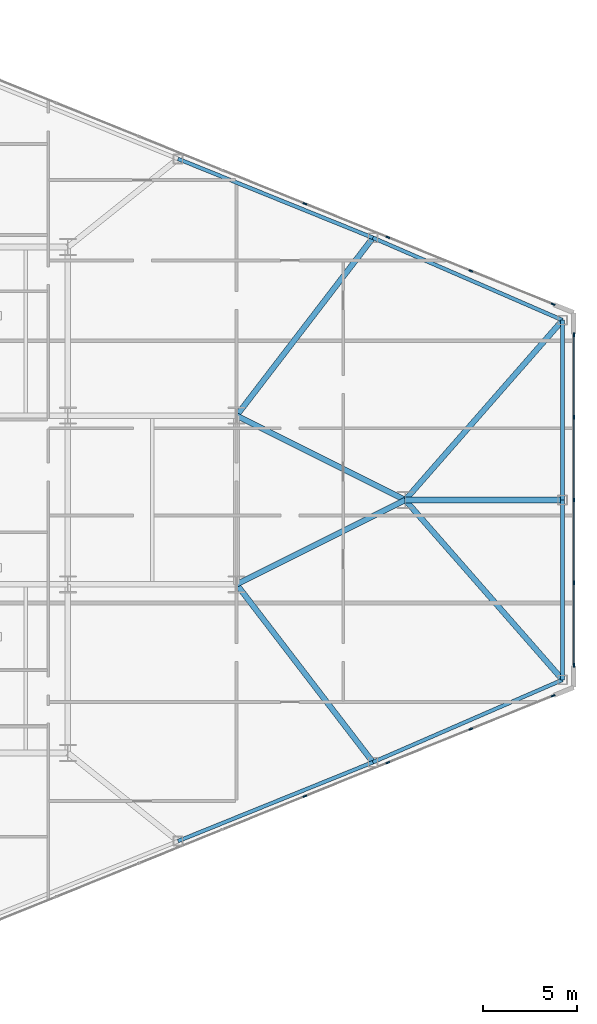
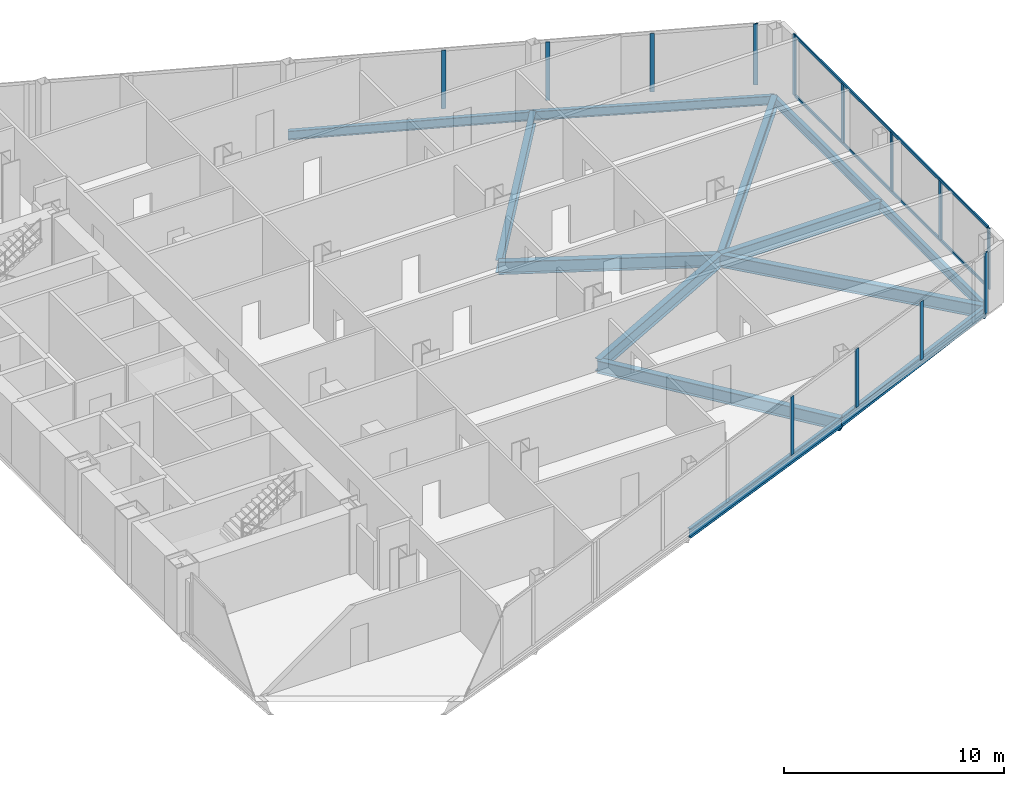
# One storey, part 14 of 25: 15 members, 13 beams, 3 elements without a shape of their own.
"""IFC4 building model written with IfcOpenShell, lengths in metres."""

from ifc_helpers import new_model, si_unit, direction, frame, origin, origin_2d, place, context, subcontext, project, spatial, rectangle, i_section, extrude, source, transform, mapped, material, layer, layer_set, material_profile, profile_set, type_object, type_shapes, element, aggregate, save


model = new_model("IFC4")

# Units and contexts
model_context = context("Model", 3, precision=1e-05, world=origin(), true_north=direction((0.0, 1.0)))
body_context = subcontext(model_context, "Body", "Model", "MODEL_VIEW")
ifc_project = project(units=[si_unit("LENGTHUNIT", "METRE"), si_unit("AREAUNIT", "SQUARE_METRE"), si_unit("VOLUMEUNIT", "CUBIC_METRE"), si_unit("PLANEANGLEUNIT", "RADIAN"), si_unit("MASSUNIT", "GRAM", prefix="KILO")], contexts=[model_context])

# Site, building, storey
site_placement = place(None, origin())
site = spatial("IfcSite", under=ifc_project, at=site_placement, CompositionType="ELEMENT")
building_placement = place(site_placement, origin())
building = spatial("IfcBuilding", under=site, at=building_placement, Name="Seokmaru Belvedere", CompositionType="ELEMENT")
storey_placement = place(building_placement, frame((0.0, 0.0, 54.89990234375)))
storey = spatial("IfcBuildingStorey", under=building, at=storey_placement, Name="L14", CompositionType="ELEMENT", Elevation=54.89990234375)

# Beams
ifc_material_1 = material(Name="Steel SM355 (355 MPa)", Category="steel")
ifc_material_profile_1 = material_profile(ifc_material_1, i_section(OverallWidth=0.300048828125, OverallDepth=0.699951171875, WebThickness=0.012939453125, FlangeThickness=0.02392578125, at=origin_2d()), Name="H-700x300x13x24")
ifc_profile_set_1 = profile_set([ifc_material_profile_1], Name="Steel SM355 (355 MPa)")
beam_type_1 = type_object("IfcBeamType", Name="Primary Floor Girder H-700", PredefinedType="BEAM", material=ifc_profile_set_1)
shared_shape_1 = source(origin(), body_context, "Body", "SweptSolid", [
    extrude(i_section(OverallWidth=0.300048828125, OverallDepth=0.699951171875, WebThickness=0.012939453125, FlangeThickness=0.02392578125, at=origin_2d()), origin(), (0.0, 0.0, 1.0), 10.062255859375),
])
for number, where, z_axis, x_axis, name in (
    (1, (54.5, -4.5, -0.56982421875), (0.894427191, 0.4472135955, 0.0), (-0.4472135955, 0.894427191, 0.0), "L14 E Apex Converging Girder 1"),
    (2, (54.5, 4.5, -0.56982421875), (0.894427191, -0.4472135955, 0.0), (0.4472135955, 0.894427191, 0.0), "L14 E Apex Converging Girder 2"),
):
    element("IfcBeam", number, at=place(storey_placement, frame(where, z_axis=z_axis, x_axis=x_axis)), inside=storey, type_object=beam_type_1, Name=name, PredefinedType="BEAM", context=body_context, shape_type="MappedRepresentation", body=[
        mapped(shared_shape_1, transform((0.0, 0.0, 0.0), scale=1.0)),
    ])
shared_shape_2 = source(origin(), body_context, "Body", "SweptSolid", [
    extrude(i_section(OverallWidth=0.300048828125, OverallDepth=0.699951171875, WebThickness=0.012939453125, FlangeThickness=0.02392578125, at=origin_2d()), origin(), (0.0, 0.0, 1.0), 12.7529296875),
])
for number, where, z_axis, x_axis, name in (
    (3, (71.89990234375, -9.595703125, -0.56982421875), (-0.658667231479, 0.752434368019, 0.0), (-0.752434368019, -0.658667231479, 0.0), "L14 E Apex Radial Floor Girder 1"),
    (4, (71.89990234375, 9.595703125, -0.56982421875), (-0.658667231479, -0.752434368019, 0.0), (0.752434368019, -0.658667231479, 0.0), "L14 E Apex Radial Floor Girder 2"),
):
    element("IfcBeam", number, at=place(storey_placement, frame(where, z_axis=z_axis, x_axis=x_axis)), inside=storey, type_object=beam_type_1, Name=name, PredefinedType="BEAM", context=body_context, shape_type="MappedRepresentation", body=[
        mapped(shared_shape_2, transform((0.0, 0.0, 0.0), scale=1.0)),
    ])
ifc_material_profile_2 = material_profile(ifc_material_1, i_section(OverallWidth=0.199951171875, OverallDepth=0.5, WebThickness=0.010009765625, FlangeThickness=0.01611328125, at=origin_2d()), Name="H-500x200x10x16")
ifc_profile_set_2 = profile_set([ifc_material_profile_2], Name="Steel SM355 (355 MPa)")
beam_type_2 = type_object("IfcBeamType", Name="Perimeter Spandrel Beam H-500", PredefinedType="SPANDREL", material=ifc_profile_set_2)
shared_shape_3 = source(origin(), body_context, "Body", "SweptSolid", [
    extrude(i_section(OverallWidth=0.199951171875, OverallDepth=0.5, WebThickness=0.010009765625, FlangeThickness=0.01611328125, at=origin_2d()), origin(), (0.0, 0.0, 1.0), 11.220703125),
])
for number, where, z_axis, x_axis, name in (
    (5, (51.378173828125, -18.2041015625, -0.469970703125), (0.926944290816, 0.375198989503, 0.0), (-0.375198989503, 0.926944290816, 0.0), "L14 E Faceted Flank Spandrel S-3"),
    (6, (51.378173828125, 18.2041015625, -0.469970703125), (0.926944290816, -0.375198989503, 0.0), (0.375198989503, 0.926944290816, 0.0), "L14 E Faceted Flank Spandrel N-3"),
):
    element("IfcBeam", number, at=place(storey_placement, frame(where, z_axis=z_axis, x_axis=x_axis)), inside=storey, type_object=beam_type_2, Name=name, PredefinedType="SPANDREL", context=body_context, shape_type="MappedRepresentation", body=[
        mapped(shared_shape_3, transform((0.0, 0.0, 0.0), scale=1.0)),
    ])
shared_shape_4 = source(origin(), body_context, "Body", "SweptSolid", [
    extrude(i_section(OverallWidth=0.199951171875, OverallDepth=0.5, WebThickness=0.010009765625, FlangeThickness=0.01611328125, at=origin_2d()), origin(), (0.0, 0.0, 1.0), 11.035400390625),
])
for number, where, z_axis, x_axis, name in (
    (7, (61.779052734375, -13.994140625, -0.469970703125), (0.917134058682, 0.398578873507, 0.0), (-0.398578873507, 0.917134058682, 0.0), "L14 E Faceted Flank Spandrel S-4"),
    (8, (61.779052734375, 13.994140625, -0.469970703125), (0.917134058682, -0.398578873507, 0.0), (0.398578873507, 0.917134058682, 0.0), "L14 E Faceted Flank Spandrel N-4"),
):
    element("IfcBeam", number, at=place(storey_placement, frame(where, z_axis=z_axis, x_axis=x_axis)), inside=storey, type_object=beam_type_2, Name=name, PredefinedType="SPANDREL", context=body_context, shape_type="MappedRepresentation", body=[
        mapped(shared_shape_4, transform((0.0, 0.0, 0.0), scale=1.0)),
    ])
shared_shape_5 = source(origin(), body_context, "Body", "SweptSolid", [
    extrude(i_section(OverallWidth=0.199951171875, OverallDepth=0.5, WebThickness=0.010009765625, FlangeThickness=0.01611328125, at=origin_2d()), origin(), (0.0, 0.0, 1.0), 9.595703125),
])
type_shapes(beam_type_2, [shared_shape_3, shared_shape_4, shared_shape_5])
for number, where, z_axis, x_axis, name in (
    (9, (71.89990234375, -9.595703125, -0.469970703125), (0.0, 1.0, 0.0), (-1.0, 0.0, 0.0), "L14 E Faceted Apex Spandrel S"),
    (10, (71.89990234375, 0.0, -0.469970703125), (0.0, 1.0, 0.0), (-1.0, 0.0, 0.0), "L14 E Faceted Apex Spandrel N"),
):
    element("IfcBeam", number, at=place(storey_placement, frame(where, z_axis=z_axis, x_axis=x_axis)), inside=storey, type_object=beam_type_2, Name=name, PredefinedType="SPANDREL", context=body_context, shape_type="MappedRepresentation", body=[
        mapped(shared_shape_5, transform((0.0, 0.0, 0.0), scale=1.0)),
    ])
shared_shape_6 = source(origin(), body_context, "Body", "SweptSolid", [
    extrude(i_section(OverallWidth=0.300048828125, OverallDepth=0.699951171875, WebThickness=0.012939453125, FlangeThickness=0.02392578125, at=origin_2d()), origin(), (0.0, 0.0, 1.0), 11.96337890625),
])
for number, where, z_axis, x_axis, name in (
    (11, (61.779052734375, -13.994140625, -0.56982421875), (-0.608442682624, 0.793597821294, 0.0), (-0.793597821294, -0.608442682624, 0.0), "L14 E Flank Radial Floor Girder S-3"),
    (12, (61.779052734375, 13.994140625, -0.56982421875), (-0.608442682624, -0.793597821294, 0.0), (0.793597821294, -0.608442682624, 0.0), "L14 E Flank Radial Floor Girder N-3"),
):
    element("IfcBeam", number, at=place(storey_placement, frame(where, z_axis=z_axis, x_axis=x_axis)), inside=storey, type_object=beam_type_1, Name=name, PredefinedType="BEAM", context=body_context, shape_type="MappedRepresentation", body=[
        mapped(shared_shape_6, transform((0.0, 0.0, 0.0), scale=1.0)),
    ])
shared_shape_7 = source(origin(), body_context, "Body", "SweptSolid", [
    extrude(i_section(OverallWidth=0.300048828125, OverallDepth=0.699951171875, WebThickness=0.012939453125, FlangeThickness=0.02392578125, at=origin_2d()), origin(), (0.0, 0.0, 1.0), 8.39990234375),
])
type_shapes(beam_type_1, [shared_shape_1, shared_shape_2, shared_shape_6, shared_shape_7])
beam_placement = place(storey_placement, frame((71.89990234375, 0.0, -0.56982421875), z_axis=(-1.0, 0.0, 0.0), x_axis=(0.0, -1.0, 0.0)))
element("IfcBeam", 13, at=beam_placement, inside=storey, type_object=beam_type_1, Name="L14 E Apex Center Radial Girder", PredefinedType="BEAM", context=body_context, shape_type="MappedRepresentation", body=[
    mapped(shared_shape_7, transform((0.0, 0.0, 0.0), scale=1.0)),
])

# Curtain wall, member
ifc_material_2 = material(Name="Bronze Triple Insulating Glass", Category="glass")
ifc_layer = layer(ifc_material_2, 0.2099609375)
ifc_layer_set = layer_set([ifc_layer], Name="Bronze Triple Insulating Glass")
curtain_wall_type = type_object("IfcCurtainWallType", Name="Low-Rise Faceted Crystal Curtain Wall System CW-2", PredefinedType="NOTDEFINED", material=ifc_layer_set)
curtain_wall_1_placement = place(storey_placement, origin())
curtain_wall_1 = element("IfcCurtainWall", 14, at=curtain_wall_1_placement, inside=storey, type_object=curtain_wall_type, Name="L14 Curtain Wall EF1", PredefinedType="NOTDEFINED")
ifc_material_3 = material(Name="Anodised Bronze Aluminium", Category="aluminium")
ifc_material_profile_3 = material_profile(ifc_material_3, rectangle(XDim=0.074951171875, YDim=0.2099609375, at=origin_2d()), Name="CW-M-75x210")
ifc_profile_set_3 = profile_set([ifc_material_profile_3], Name="Anodised Bronze Aluminium")
member_type_1 = type_object("IfcMemberType", Name="Bronze Unitised Mullion 75x210", PredefinedType="MULLION", material=ifc_profile_set_3)
shared_shape_8 = source(origin(), body_context, "Body", "SweptSolid", [
    extrude(rectangle(XDim=0.074951171875, YDim=0.2099609375, at=origin_2d()), origin(), (0.0, 0.0, 1.0), 3.380126953125),
])
member_1_placement = place(storey_placement, frame((71.399169921875, -10.445556640625, 0.0), z_axis=(0.0, 0.0, 1.0), x_axis=(-0.375192321888, 0.926946989637, 0.0)))
member_1 = element("IfcMember", 15, at=member_1_placement, type_object=member_type_1, Name="CW:L14:EF1 Mullion 10", PredefinedType="MULLION", context=body_context, shape_type="MappedRepresentation", body=[
    mapped(shared_shape_8, transform((0.0, 0.0, 0.0), scale=1.0)),
])

# Curtain wall, members
curtain_wall_2_placement = place(storey_placement, origin())
curtain_wall_2 = element("IfcCurtainWall", 16, at=curtain_wall_2_placement, inside=storey, type_object=curtain_wall_type, Name="L14 Curtain Wall EF2", PredefinedType="NOTDEFINED")
member_2_placement = place(storey_placement, frame((72.5, -8.8125, 0.0), z_axis=(0.0, 0.0, 1.0), x_axis=(-1.0, 0.0, 0.0)))
member_2 = element("IfcMember", 17, at=member_2_placement, type_object=member_type_1, Name="CW:L14:EF2 Mullion 1", PredefinedType="MULLION", context=body_context, shape_type="MappedRepresentation", body=[
    mapped(shared_shape_8, transform((0.0, 0.0, 0.0), scale=1.0)),
])
member_3_placement = place(storey_placement, frame((72.5, 8.8125, 0.0), z_axis=(0.0, 0.0, 1.0), x_axis=(-1.0, 0.0, 0.0)))
member_3 = element("IfcMember", 18, at=member_3_placement, type_object=member_type_1, Name="CW:L14:EF2 Mullion 5", PredefinedType="MULLION", context=body_context, shape_type="MappedRepresentation", body=[
    mapped(shared_shape_8, transform((0.0, 0.0, 0.0), scale=1.0)),
])

# Curtain wall, member
curtain_wall_3_placement = place(storey_placement, origin())
curtain_wall_3 = element("IfcCurtainWall", 19, at=curtain_wall_3_placement, inside=storey, type_object=curtain_wall_type, Name="L14 Curtain Wall EF3", PredefinedType="NOTDEFINED")
member_4_placement = place(storey_placement, frame((71.399169921875, 10.445556640625, 0.0), z_axis=(0.0, 0.0, 1.0), x_axis=(-0.375192321888, -0.926946989637, 0.0)))
member_4 = element("IfcMember", 20, at=member_4_placement, type_object=member_type_1, Name="CW:L14:EF3 Mullion 1", PredefinedType="MULLION", context=body_context, shape_type="MappedRepresentation", body=[
    mapped(shared_shape_8, transform((0.0, 0.0, 0.0), scale=1.0)),
])

# Member
shared_shape_9 = source(origin(), body_context, "Body", "SweptSolid", [
    extrude(rectangle(XDim=0.074951171875, YDim=0.2099609375, at=origin_2d()), origin(), (0.0, 0.0, 1.0), 3.239990234375),
])
type_shapes(member_type_1, [shared_shape_8, shared_shape_9])
member_5_placement = place(storey_placement, frame((58.144775390625, -15.810546875, 0.070068359375), z_axis=(0.0, 0.0, 1.0), x_axis=(-0.375192321888, 0.926946989637, 0.0)))
member_5 = element("IfcMember", 21, at=member_5_placement, type_object=member_type_1, Name="CW:L14:EF1 Mullion 7", PredefinedType="MULLION", context=body_context, shape_type="MappedRepresentation", body=[
    mapped(shared_shape_9, transform((0.0, 0.0, 0.0), scale=1.0)),
])

member_6_placement = place(storey_placement, frame((62.574462890625, -14.017578125, 0.070068359375), z_axis=(0.0, 0.0, 1.0), x_axis=(-0.375192321888, 0.926946989637, 0.0)))
member_6 = element("IfcMember", 22, at=member_6_placement, type_object=member_type_1, Name="CW:L14:EF1 Mullion 8", PredefinedType="MULLION", context=body_context, shape_type="MappedRepresentation", body=[
    mapped(shared_shape_9, transform((0.0, 0.0, 0.0), scale=1.0)),
])

member_7_placement = place(storey_placement, frame((67.004150390625, -12.224609375, 0.070068359375), z_axis=(0.0, 0.0, 1.0), x_axis=(-0.375192321888, 0.926946989637, 0.0)))
member_7 = element("IfcMember", 23, at=member_7_placement, type_object=member_type_1, Name="CW:L14:EF1 Mullion 9", PredefinedType="MULLION", context=body_context, shape_type="MappedRepresentation", body=[
    mapped(shared_shape_9, transform((0.0, 0.0, 0.0), scale=1.0)),
])

aggregate(curtain_wall_1, [member_5, member_6, member_7, member_1])

member_8_placement = place(storey_placement, frame((72.5, -4.425048828125, 0.070068359375), z_axis=(0.0, 0.0, 1.0), x_axis=(-1.0, 0.0, 0.0)))
member_8 = element("IfcMember", 24, at=member_8_placement, type_object=member_type_1, Name="CW:L14:EF2 Mullion 2", PredefinedType="MULLION", context=body_context, shape_type="MappedRepresentation", body=[
    mapped(shared_shape_9, transform((0.0, 0.0, 0.0), scale=1.0)),
])

member_9_placement = place(storey_placement, frame((72.5, 0.0, 0.070068359375), z_axis=(0.0, 0.0, 1.0), x_axis=(-1.0, 0.0, 0.0)))
member_9 = element("IfcMember", 25, at=member_9_placement, type_object=member_type_1, Name="CW:L14:EF2 Mullion 3", PredefinedType="MULLION", context=body_context, shape_type="MappedRepresentation", body=[
    mapped(shared_shape_9, transform((0.0, 0.0, 0.0), scale=1.0)),
])

member_10_placement = place(storey_placement, frame((72.5, 4.425048828125, 0.070068359375), z_axis=(0.0, 0.0, 1.0), x_axis=(-1.0, 0.0, 0.0)))
member_10 = element("IfcMember", 26, at=member_10_placement, type_object=member_type_1, Name="CW:L14:EF2 Mullion 4", PredefinedType="MULLION", context=body_context, shape_type="MappedRepresentation", body=[
    mapped(shared_shape_9, transform((0.0, 0.0, 0.0), scale=1.0)),
])

member_11_placement = place(storey_placement, frame((67.004150390625, 12.224609375, 0.070068359375), z_axis=(0.0, 0.0, 1.0), x_axis=(-0.375192321888, -0.926946989637, 0.0)))
member_11 = element("IfcMember", 27, at=member_11_placement, type_object=member_type_1, Name="CW:L14:EF3 Mullion 2", PredefinedType="MULLION", context=body_context, shape_type="MappedRepresentation", body=[
    mapped(shared_shape_9, transform((0.0, 0.0, 0.0), scale=1.0)),
])

member_12_placement = place(storey_placement, frame((62.574462890625, 14.017578125, 0.070068359375), z_axis=(0.0, 0.0, 1.0), x_axis=(-0.375192321888, -0.926946989637, 0.0)))
member_12 = element("IfcMember", 28, at=member_12_placement, type_object=member_type_1, Name="CW:L14:EF3 Mullion 3", PredefinedType="MULLION", context=body_context, shape_type="MappedRepresentation", body=[
    mapped(shared_shape_9, transform((0.0, 0.0, 0.0), scale=1.0)),
])

member_13_placement = place(storey_placement, frame((58.144775390625, 15.810546875, 0.070068359375), z_axis=(0.0, 0.0, 1.0), x_axis=(-0.375192321888, -0.926946989637, 0.0)))
member_13 = element("IfcMember", 29, at=member_13_placement, type_object=member_type_1, Name="CW:L14:EF3 Mullion 4", PredefinedType="MULLION", context=body_context, shape_type="MappedRepresentation", body=[
    mapped(shared_shape_9, transform((0.0, 0.0, 0.0), scale=1.0)),
])

aggregate(curtain_wall_3, [member_4, member_11, member_12, member_13])

ifc_material_profile_4 = material_profile(ifc_material_3, rectangle(XDim=0.070068359375, YDim=0.1650390625, at=origin_2d()), Name="CW-T-70x165")
ifc_profile_set_4 = profile_set([ifc_material_profile_4], Name="Anodised Bronze Aluminium")
member_type_2 = type_object("IfcMemberType", Name="Bronze Unitised Transom 70x165", PredefinedType="USERDEFINED", material=ifc_profile_set_4)
shared_shape_10 = source(origin(), body_context, "Body", "SweptSolid", [
    extrude(rectangle(XDim=0.070068359375, YDim=0.1650390625, at=origin_2d()), origin(), (0.0, 0.0, 1.0), 17.5498046875),
])
type_shapes(member_type_2, [shared_shape_10])
member_14_placement = place(storey_placement, frame((72.5, -8.77490234375, 0.03515625), z_axis=(0.0, 1.0, 0.0), x_axis=(-1.0, 0.0, 0.0)))
member_14 = element("IfcMember", 30, at=member_14_placement, type_object=member_type_2, Name="CW:L14:EF2 Continuous Transom 1", ObjectType="TRANSOM", PredefinedType="USERDEFINED", context=body_context, shape_type="MappedRepresentation", body=[
    mapped(shared_shape_10, transform((0.0, 0.0, 0.0), scale=1.0)),
])

member_15_placement = place(storey_placement, frame((72.5, -8.77490234375, 3.34521484375), z_axis=(0.0, 1.0, 0.0), x_axis=(-1.0, 0.0, 0.0)))
member_15 = element("IfcMember", 31, at=member_15_placement, type_object=member_type_2, Name="CW:L14:EF2 Continuous Transom 2", ObjectType="TRANSOM", PredefinedType="USERDEFINED", context=body_context, shape_type="MappedRepresentation", body=[
    mapped(shared_shape_10, transform((0.0, 0.0, 0.0), scale=1.0)),
])

aggregate(curtain_wall_2, [member_2, member_8, member_9, member_10, member_3, member_14, member_15])

save(model, "model.ifc")
